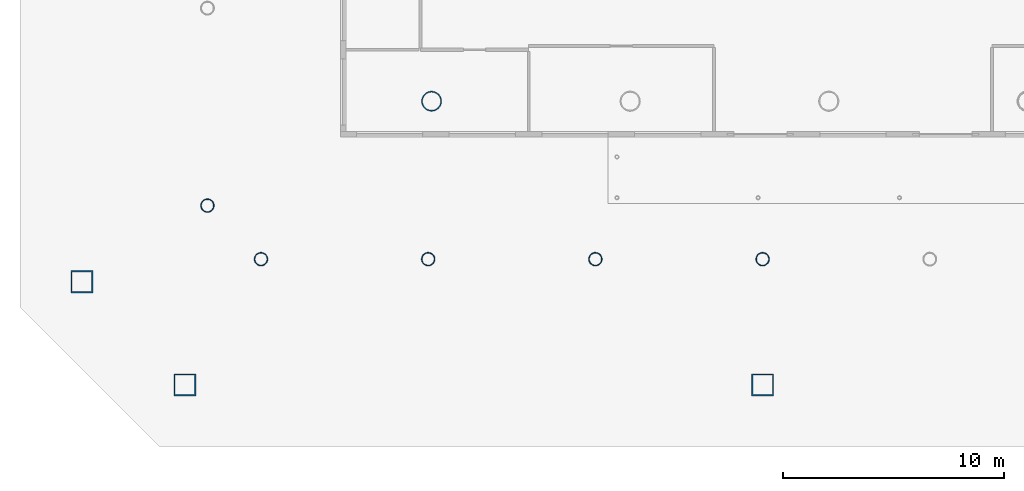
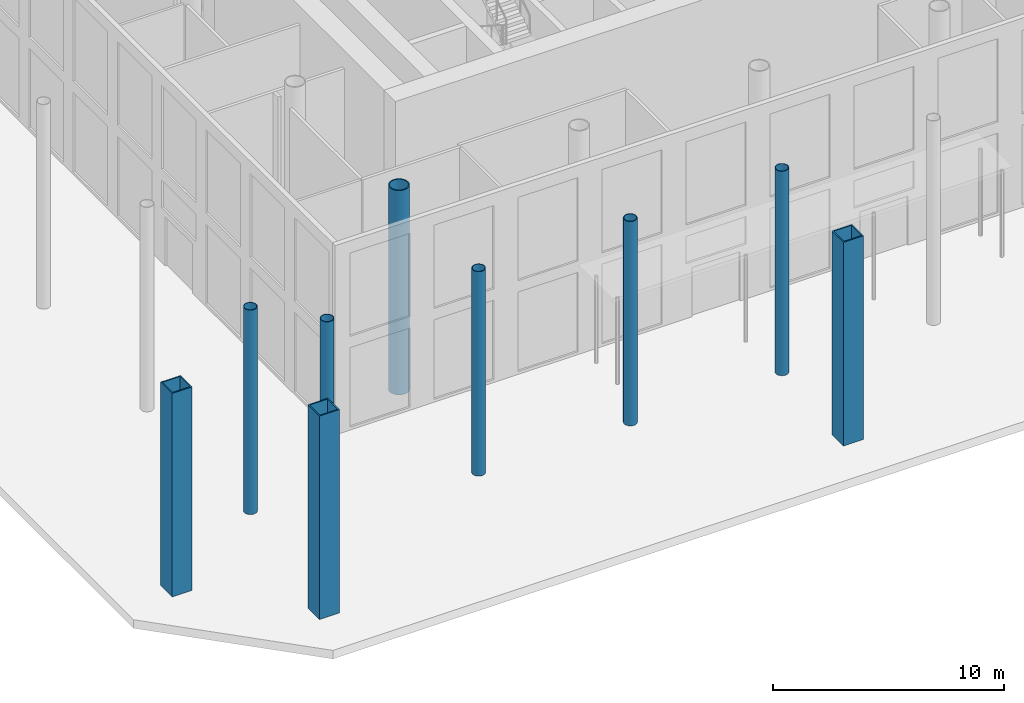
# One storey, part 1 of 18: 9 columns.
"""IFC4 building model written with IfcOpenShell, lengths in metres."""

from ifc_helpers import new_model, si_unit, direction, frame, origin, origin_2d, place, context, subcontext, project, spatial, hollow_rectangle, hollow_circle, extrude, material, material_profile, profile_set, type_object, element, save


model = new_model("IFC4")

# Units and contexts
model_context = context("Model", 3, precision=1e-05, world=origin(), true_north=direction((0.0, 1.0)))
body_context = subcontext(model_context, "Body", "Model", "MODEL_VIEW")
ifc_project = project(units=[si_unit("LENGTHUNIT", "METRE"), si_unit("AREAUNIT", "SQUARE_METRE"), si_unit("VOLUMEUNIT", "CUBIC_METRE"), si_unit("PLANEANGLEUNIT", "RADIAN"), si_unit("MASSUNIT", "GRAM", prefix="KILO")], contexts=[model_context])

# Site, building, storey
site_placement = place(None, origin())
site = spatial("IfcSite", under=ifc_project, at=site_placement, CompositionType="ELEMENT")
building_placement = place(site_placement, origin())
building = spatial("IfcBuilding", under=site, at=building_placement, Name="Tskaro Facet Tower", CompositionType="ELEMENT")
storey_placement = place(building_placement, origin())
storey = spatial("IfcBuildingStorey", under=building, at=storey_placement, Name="L00", CompositionType="ELEMENT", Elevation=0.0)

# Columns
ifc_material_1 = material(Name="Steel S460M", Category="steel")
ifc_material_profile_1 = material_profile(ifc_material_1, hollow_rectangle(XDim=1.0, YDim=1.0, WallThickness=0.06005859375, at=origin_2d()), Name="BOX 1000x1000x60")
ifc_profile_set_1 = profile_set([ifc_material_profile_1], Name="Steel S460M")
column_type_1 = type_object("IfcColumnType", Name="BOX 1000x1000x60 mega column", PredefinedType="COLUMN", material=ifc_profile_set_1)
column_1_placement = place(storey_placement, frame((-29.180908203125, -30.85009765625, 0.0), z_axis=(0.0, 0.0, 1.0), x_axis=(1.0, 0.0, 0.0)))
element("IfcColumn", 1, at=column_1_placement, inside=storey, type_object=column_type_1, Name="BOX 1000x1000x60 MC01/G", PredefinedType="COLUMN", context=body_context, shape_type="SweptSolid", body=[
    extrude(hollow_rectangle(XDim=1.0, YDim=1.0, WallThickness=0.06005859375, at=origin_2d()), origin(), (0.0, 0.0, 1.0), 10.751953125),
])
column_2_placement = place(storey_placement, frame((-3.0, -30.85009765625, 0.0), z_axis=(0.0, 0.0, 1.0), x_axis=(1.0, 0.0, 0.0)))
element("IfcColumn", 2, at=column_2_placement, inside=storey, type_object=column_type_1, Name="BOX 1000x1000x60 MC02/G", PredefinedType="COLUMN", context=body_context, shape_type="SweptSolid", body=[
    extrude(hollow_rectangle(XDim=1.0, YDim=1.0, WallThickness=0.06005859375, at=origin_2d()), origin(), (0.0, 0.0, 1.0), 10.763671875),
])
column_3_placement = place(storey_placement, frame((-33.85009765625, -26.180908203125, 0.0), z_axis=(0.0, 0.0, 1.0), x_axis=(1.0, 0.0, 0.0)))
element("IfcColumn", 3, at=column_3_placement, inside=storey, type_object=column_type_1, Name="BOX 1000x1000x60 MC12/G", PredefinedType="COLUMN", context=body_context, shape_type="SweptSolid", body=[
    extrude(hollow_rectangle(XDim=1.0, YDim=1.0, WallThickness=0.06005859375, at=origin_2d()), origin(), (0.0, 0.0, 1.0), 10.751953125),
])
ifc_material_2 = material(Name="Steel S355J2H", Category="steel")
ifc_material_profile_2 = material_profile(ifc_material_2, hollow_circle(Radius=0.304931640625, WallThickness=0.030029296875, at=origin_2d()), Name="CHS 610x30")
ifc_profile_set_2 = profile_set([ifc_material_profile_2], Name="Steel S355J2H")
column_type_2 = type_object("IfcColumnType", Name="CHS 610x30 ring column", PredefinedType="COLUMN", material=ifc_profile_set_2)
for number, where, z_axis, x_axis, name in (
    (4, (-25.72900390625, -25.156982421875, 0.0), (0.0, 0.0, 1.0), (1.0, 0.0, 0.0), "CHS 610x30 RS-1/1"),
    (5, (-18.153076171875, -25.156982421875, 0.0), (0.0, 0.0, 1.0), (1.0, 0.0, 0.0), "CHS 610x30 RS-2/1"),
    (6, (-10.575927734375, -25.156982421875, 0.0), (0.0, 0.0, 1.0), (1.0, 0.0, 0.0), "CHS 610x30 RS-3/1"),
    (7, (-3.0, -25.156982421875, 0.0), (0.0, 0.0, 1.0), (1.0, 0.0, 0.0), "CHS 610x30 RS-4/1"),
    (8, (-28.156982421875, -22.72900390625, 0.0), (0.0, 0.0, 1.0), (1.0, 0.0, 0.0), "CHS 610x30 RSW-1/1"),
):
    element("IfcColumn", number, at=place(storey_placement, frame(where, z_axis=z_axis, x_axis=x_axis)), inside=storey, type_object=column_type_2, Name=name, PredefinedType="COLUMN", context=body_context, shape_type="SweptSolid", body=[
        extrude(hollow_circle(Radius=0.304931640625, WallThickness=0.030029296875, at=origin_2d()), origin(), (0.0, 0.0, 1.0), 10.800048828125),
    ])
ifc_material_profile_3 = material_profile(ifc_material_2, hollow_circle(Radius=0.457275390625, WallThickness=0.050048828125, at=origin_2d()), Name="CHS 914.4x50")
ifc_profile_set_3 = profile_set([ifc_material_profile_3], Name="Steel S355J2H")
column_type_3 = type_object("IfcColumnType", Name="CHS 914.4x50 interior column", PredefinedType="COLUMN", material=ifc_profile_set_3)
column_4_placement = place(storey_placement, frame((-18.0, -18.0, 0.0), z_axis=(0.0, 0.0, 1.0), x_axis=(1.0, 0.0, 0.0)))
element("IfcColumn", 9, at=column_4_placement, inside=storey, type_object=column_type_3, Name="CHS 914.4x50 C2B/1", PredefinedType="COLUMN", context=body_context, shape_type="SweptSolid", body=[
    extrude(hollow_circle(Radius=0.457275390625, WallThickness=0.050048828125, at=origin_2d()), origin(), (0.0, 0.0, 1.0), 10.800048828125),
])

save(model, "model.ifc")
